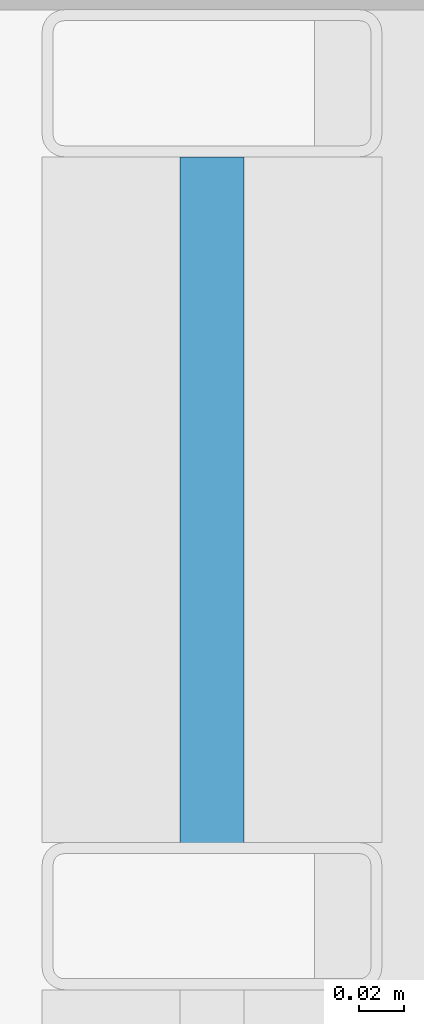
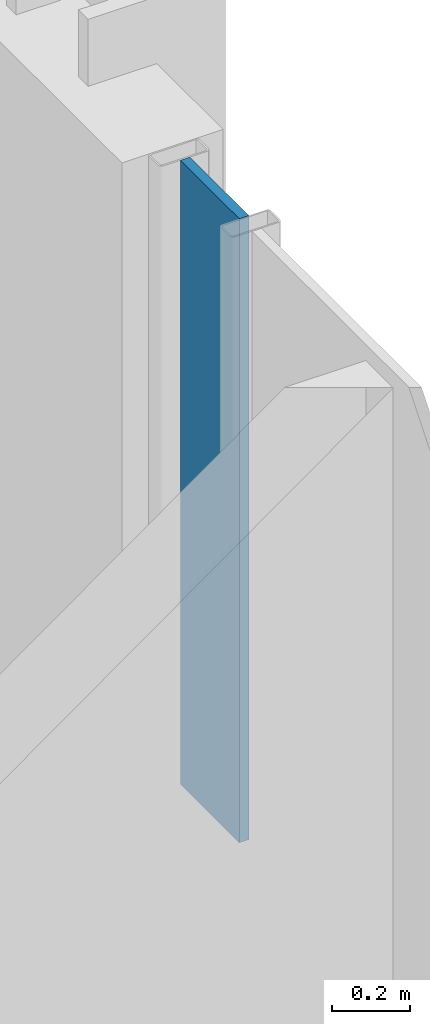
# One storey, part 30 of 41: 1 plate, 1 element without a shape of its own.
"""IFC4 building model written with IfcOpenShell, lengths in metres."""

from ifc_helpers import new_model, si_unit, direction, frame, origin, origin_2d, place, context, subcontext, project, spatial, rectangle, extrude, material, layer, layer_set, type_object, element, aggregate, save


model = new_model("IFC4")

# Units and contexts
model_context = context("Model", 3, precision=1e-05, world=origin(), true_north=direction((0.0, 1.0)))
body_context = subcontext(model_context, "Body", "Model", "MODEL_VIEW")
ifc_project = project(units=[si_unit("LENGTHUNIT", "METRE"), si_unit("AREAUNIT", "SQUARE_METRE"), si_unit("VOLUMEUNIT", "CUBIC_METRE"), si_unit("PLANEANGLEUNIT", "RADIAN"), si_unit("MASSUNIT", "GRAM", prefix="KILO")], contexts=[model_context])

# Site, building, storey
site_placement = place(None, origin())
site = spatial("IfcSite", under=ifc_project, at=site_placement, CompositionType="ELEMENT")
building_placement = place(site_placement, origin())
building = spatial("IfcBuilding", under=site, at=building_placement, Name="Brevholm Reach", CompositionType="ELEMENT")
storey_placement = place(building_placement, frame((0.0, 0.0, 169.699951171875)))
storey = spatial("IfcBuildingStorey", under=building, at=storey_placement, Name="L51", CompositionType="ELEMENT", Elevation=169.699951171875)

# Curtain wall, plate
ifc_material_1 = material(Name="Dark Anodised Aluminium 6063-T6 and Solar-Control Glass", Category="aluminium")
ifc_layer_1 = layer(ifc_material_1, 0.14990234375)
ifc_layer_set_1 = layer_set([ifc_layer_1], Name="Dark Anodised Aluminium 6063-T6 and Solar-Control Glass")
curtain_wall_type = type_object("IfcCurtainWallType", Name="CW-01", PredefinedType="NOTDEFINED", material=ifc_layer_set_1)
curtain_wall_placement = place(storey_placement, origin())
curtain_wall = element("IfcCurtainWall", 1, at=curtain_wall_placement, inside=storey, type_object=curtain_wall_type, Name="L51 Curtain Wall CW-01", PredefinedType="NOTDEFINED")
ifc_material_2 = material(Name="Dark Solar-Control Double-Glazed IGU Glass", Category="glass")
ifc_layer_2 = layer(ifc_material_2, 0.028076171875)
ifc_layer_set_2 = layer_set([ifc_layer_2], Name="Dark Solar-Control Double-Glazed IGU Glass")
plate_type = type_object("IfcPlateType", Name="CWP-GLZ-28", PredefinedType="CURTAIN_PANEL", material=ifc_layer_set_2)
plate_placement = place(storey_placement, frame((59.85009765625, 22.733642578125, 0.9326171875), z_axis=(0.0, 0.0, 1.0), x_axis=(0.0, 1.0, 0.0)))
plate = element("IfcPlate", 2, at=plate_placement, type_object=plate_type, Name="CP-01 Glazing Panel 5.2", PredefinedType="CURTAIN_PANEL", context=body_context, shape_type="SweptSolid", body=[
    extrude(rectangle(XDim=0.302490234375, YDim=0.028076171875, at=origin_2d()), origin(), (0.0, 0.0, 1.0), 1.95751953125),
])
aggregate(curtain_wall, [plate])

save(model, "model.ifc")
